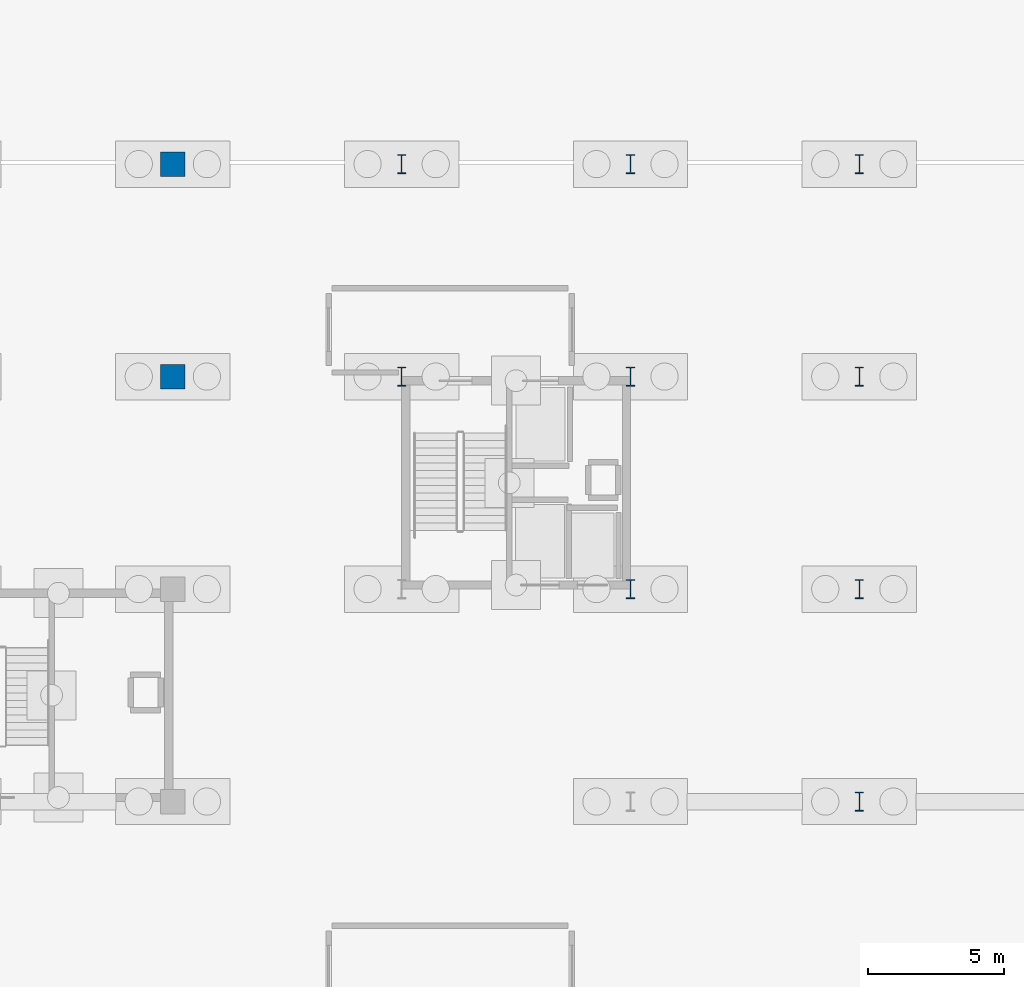
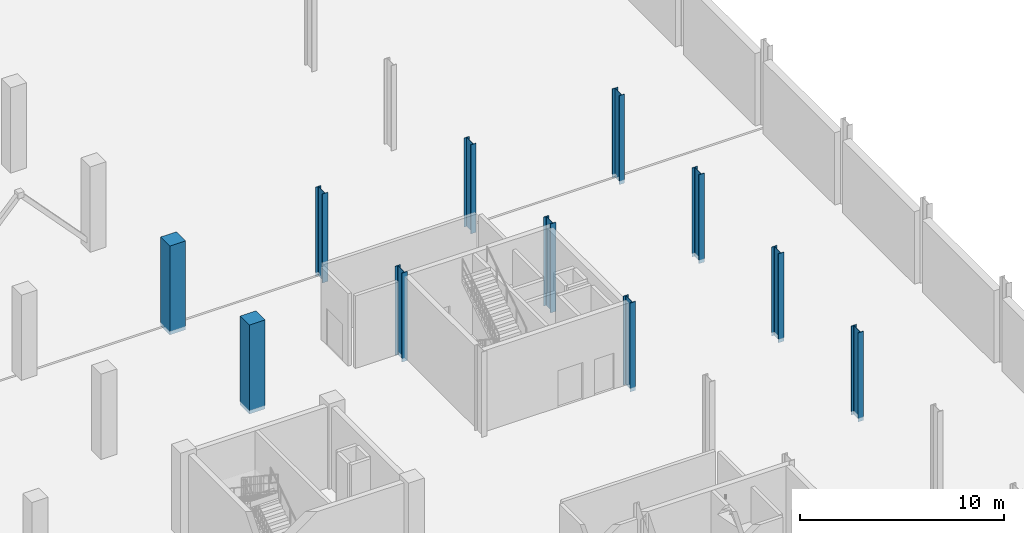
# One storey, part 19 of 48: 11 columns.
"""IFC4 building model written with IfcOpenShell, lengths in metres."""

import ifcopenshell
import ifcopenshell.guid

model = None  # the IFC model being written
_history = None  # IfcOwnerHistory: only IFC2X3 demands one
_inside = {}  # id of a spatial element -> (the spatial element, [elements in it])
_under = {}  # id of a project, library or spatial element -> (it, [spatial elements below it])
_declared = {}  # id of a project -> (the project, [libraries it declares])
_typed = {}  # id of a type object -> (the type object, [elements of that type])
_made_of = {}  # id of a material, layer set ... -> (it, [elements and type objects made of it])


def new_model(schema):
    """Start an empty IFC model of exactly this schema.

    Asked for "IFC4X3", IfcOpenShell would pick the latest addendum, in which some entities
    have other attributes; the version numbers below select the first issue.
    IFC2X3 requires an IfcOwnerHistory on every rooted entity: one is made here for all.
    """
    global model, _history
    if schema == "IFC4X3":
        model = ifcopenshell.file(schema_version=(4, 3, 0, 0))
    else:
        model = ifcopenshell.file(schema=schema)
    _inside.clear()
    _under.clear()
    _declared.clear()
    _typed.clear()
    _made_of.clear()
    _history = None
    if model.schema == "IFC2X3":
        org = make("IfcOrganization", Name="unknown")
        user = make(
            "IfcPersonAndOrganization",
            ThePerson=make("IfcPerson", FamilyName="unknown"),
            TheOrganization=org,
        )
        app = make(
            "IfcApplication",
            ApplicationDeveloper=org,
            Version="unknown",
            ApplicationFullName="unknown",
            ApplicationIdentifier="unknown",
        )
        _history = make(
            "IfcOwnerHistory",
            OwningUser=user,
            OwningApplication=app,
            ChangeAction="ADDED",
            CreationDate=0,
        )
    return model


def make(cls, **values):
    """One entity of the class cls with the attributes given. An attribute that is None is left unset."""
    return model.create_entity(
        cls, **{name: value for name, value in values.items() if value is not None}
    )


def rooted(cls, **values):
    """An entity with a GlobalId (a new one), such as an element, a storey or a relation."""
    return make(cls, GlobalId=ifcopenshell.guid.new(), OwnerHistory=_history, **values)


def si_unit(unit_type, name, prefix=None):
    """IfcSIUnit, for example si_unit("LENGTHUNIT", "METRE", prefix="MILLI")."""
    return make("IfcSIUnit", UnitType=unit_type, Prefix=prefix, Name=name)


def assignment(units):
    """IfcUnitAssignment: the units of a project."""
    return None if units is None else make("IfcUnitAssignment", Units=units)


def point(xyz):
    """IfcCartesianPoint."""
    return None if xyz is None else make("IfcCartesianPoint", Coordinates=xyz)


def direction(xyz):
    """IfcDirection."""
    return None if xyz is None else make("IfcDirection", DirectionRatios=xyz)


def frame(location, z_axis=None, x_axis=None):
    """IfcAxis2Placement3D, a coordinate frame: its origin and axes. An axis left out is left unset."""
    return make(
        "IfcAxis2Placement3D",
        Location=point(location),
        Axis=direction(z_axis),
        RefDirection=direction(x_axis),
    )


def frame_2d(location, x_axis=None):
    """IfcAxis2Placement2D, a coordinate frame in the plane: its origin and x axis."""
    return make(
        "IfcAxis2Placement2D", Location=point(location), RefDirection=direction(x_axis)
    )


def origin():
    """The frame at (0, 0, 0) with its axes left unset."""
    return frame((0.0, 0.0, 0.0))


def origin_2d():
    """The frame at (0, 0) in the plane with its x axis left unset."""
    return frame_2d((0.0, 0.0))


def place(relative_to, where):
    """IfcLocalPlacement: puts the frame where relative to a parent placement (None: the world)."""
    return make(
        "IfcLocalPlacement", PlacementRelTo=relative_to, RelativePlacement=where
    )


def context(
    kind, dimensions, precision=None, world=None, true_north=None, identifier=None
):
    """IfcGeometricRepresentationContext, for example the 3D "Model" context."""
    return make(
        "IfcGeometricRepresentationContext",
        ContextIdentifier=identifier,
        ContextType=kind,
        CoordinateSpaceDimension=dimensions,
        Precision=precision,
        WorldCoordinateSystem=world,
        TrueNorth=true_north,
    )


def subcontext(parent, identifier, kind, view, scale=None):
    """IfcGeometricRepresentationSubContext, for example "Body" below "Model"."""
    return make(
        "IfcGeometricRepresentationSubContext",
        ContextIdentifier=identifier,
        ContextType=kind,
        ParentContext=parent,
        TargetScale=scale,
        TargetView=view,
    )


def project(units=None, contexts=None):
    """IfcProject with its units and contexts."""
    return rooted(
        "IfcProject",
        Name="project",
        RepresentationContexts=contexts,
        UnitsInContext=assignment(units),
    )


def spatial(cls, under=None, at=None, **own):
    """A site, building, storey or space (cls), placed at a placement, below another one or the project."""
    s = rooted(cls, ObjectPlacement=at, **own)
    if under is not None:
        _under.setdefault(under.id(), (under, []))[1].append(s)
    return s


def profile(cls, at=None, kind="AREA", **sizes):
    """A parametric profile (cls). Its sizes go by their IFC names, for example OverallWidth=200.0."""
    return make(cls, ProfileType=kind, Position=at, **sizes)


def rectangle(**sizes):
    """IfcRectangleProfileDef."""
    return profile("IfcRectangleProfileDef", **sizes)


def i_section(**sizes):
    """IfcIShapeProfileDef."""
    return profile("IfcIShapeProfileDef", **sizes)


def extrude(swept, where, along, depth):
    """IfcExtrudedAreaSolid: the profile swept, set in the frame where, extruded along a direction by depth."""
    return make(
        "IfcExtrudedAreaSolid",
        SweptArea=swept,
        Position=where,
        ExtrudedDirection=direction(along),
        Depth=depth,
    )


def shape(context_of_items, identifier, shape_type, items):
    """IfcShapeRepresentation: the items that make up one representation, for example the "Body"."""
    return make(
        "IfcShapeRepresentation",
        ContextOfItems=context_of_items,
        RepresentationIdentifier=identifier,
        RepresentationType=shape_type,
        Items=items,
    )


def material(Name=None, Category=None):
    """IfcMaterial."""
    return make("IfcMaterial", Name=Name, Category=Category)


def material_profile(
    of_material, cross_section, Name=None, Category=None, Priority=None
):
    """IfcMaterialProfile: a cross section and its material."""
    return make(
        "IfcMaterialProfile",
        Name=Name,
        Material=of_material,
        Profile=cross_section,
        Priority=Priority,
        Category=Category,
    )


def profile_set(profiles, Name=None, composite=None):
    """IfcMaterialProfileSet."""
    return make(
        "IfcMaterialProfileSet",
        Name=Name,
        MaterialProfiles=profiles,
        CompositeProfile=composite,
    )


def made_of(thing, what):
    """Note that an element or type object is made of a material, layer set ...; save() writes the relation."""
    if what is not None:
        _made_of.setdefault(what.id(), (what, []))[1].append(thing)
    return thing


def type_object(cls, material=None, **own):
    """A type object (cls), such as IfcWallType, which elements share."""
    return made_of(rooted(cls, **own), material)


def element(
    cls,
    number,
    at=None,
    inside=None,
    cuts=None,
    type_object=None,
    material=None,
    context=None,
    identifier="Body",
    shape_type=None,
    held_by="IfcProductDefinitionShape",
    body=None,
    shapes=None,
    **own,
):
    """One element of the class cls, such as IfcWall. Its Tag is "e" and its number.

    at: its placement. inside: the storey or other place that contains it. cuts: it is an
    opening in that element (IfcRelVoidsElement). A single representation is given by context,
    identifier, shape_type and body (its items); several are given by shapes. held_by: the class
    of the entity that holds the representations. save() writes the other relations.
    """
    e = rooted(cls, Tag="e%d" % number, ObjectPlacement=at, **own)
    if body is not None:
        shapes = [shape(context, identifier, shape_type, body)]
    if shapes is not None:
        e.Representation = make(held_by, Representations=shapes)
    if inside is not None:
        _inside.setdefault(inside.id(), (inside, []))[1].append(e)
    if cuts is not None:
        rooted(
            "IfcRelVoidsElement", RelatingBuildingElement=cuts, RelatedOpeningElement=e
        )
    if type_object is not None:
        _typed.setdefault(type_object.id(), (type_object, []))[1].append(e)
    return made_of(e, material)


def aggregate(whole, parts):
    """IfcRelAggregates: a whole, such as a stair, and the parts it consists of."""
    return rooted("IfcRelAggregates", RelatingObject=whole, RelatedObjects=parts)


def save(model, path):
    """Write the relations noted so far, then the file.

    IfcRelAggregates (storeys below a building ...), IfcRelContainedInSpatialStructure (elements
    in a storey), IfcRelDefinesByType, IfcRelAssociatesMaterial and IfcRelDeclares: one each for
    every whole, place, type object, material and project.
    """
    for whole, parts in _under.values():
        aggregate(whole, parts)
    for where, things in _inside.values():
        rooted(
            "IfcRelContainedInSpatialStructure",
            RelatedElements=things,
            RelatingStructure=where,
        )
    for kind, things in _typed.values():
        rooted("IfcRelDefinesByType", RelatedObjects=things, RelatingType=kind)
    for what, things in _made_of.values():
        rooted("IfcRelAssociatesMaterial", RelatedObjects=things, RelatingMaterial=what)
    for by, libraries in _declared.values():
        rooted("IfcRelDeclares", RelatingContext=by, RelatedDefinitions=libraries)
    model.write(path)


model = new_model("IFC4")

# Units and contexts
model_context = context("Model", 3, precision=1e-05, world=origin(), true_north=direction((0.0, 1.0)))
body_context = subcontext(model_context, "Body", "Model", "MODEL_VIEW")
ifc_project = project(units=[si_unit("LENGTHUNIT", "METRE"), si_unit("AREAUNIT", "SQUARE_METRE"), si_unit("VOLUMEUNIT", "CUBIC_METRE"), si_unit("PLANEANGLEUNIT", "RADIAN"), si_unit("MASSUNIT", "GRAM", prefix="KILO")], contexts=[model_context])

# Site, building, storey
site_placement = place(None, origin())
site = spatial("IfcSite", under=ifc_project, at=site_placement, CompositionType="ELEMENT")
building_placement = place(site_placement, origin())
building = spatial("IfcBuilding", under=site, at=building_placement, Name="Nabrawat Pavilion Hospital", CompositionType="ELEMENT")
storey_placement = place(building_placement, frame((0.0, 0.0, -5.10009765625)))
storey = spatial("IfcBuildingStorey", under=building, at=storey_placement, Name="B1", CompositionType="ELEMENT", Elevation=-5.10009765625)

# Columns
ifc_material_1 = material(Name="Steel S355", Category="steel")
ifc_material_profile_1 = material_profile(ifc_material_1, i_section(OverallWidth=0.300048828125, OverallDepth=0.699951171875, WebThickness=0.01708984375, FlangeThickness=0.031982421875, FilletRadius=0.027099609375, at=origin_2d()), Name="HEB 700")
ifc_profile_set_1 = profile_set([ifc_material_profile_1], Name="Steel S355")
column_type_1 = type_object("IfcColumnType", Name="Base Transfer Steel Column HEB 700", PredefinedType="COLUMN", material=ifc_profile_set_1)
for number, where, z_axis, x_axis, name in (
    (1, (168.0, 78.0, -0.219970703125), (0.0, 0.0, 1.0), (1.0, 0.0, 0.0), "B1 Structural Column G-21-L"),
    (2, (168.0, 85.800048828125, -0.219970703125), (0.0, 0.0, 1.0), (1.0, 0.0, 0.0), "B1 Structural Column G-21-M1"),
    (3, (176.39990234375, 70.199951171875, -0.219970703125), (0.0, 0.0, 1.0), (1.0, 0.0, 0.0), "B1 Structural Column G-22-K"),
    (4, (176.39990234375, 78.0, -0.219970703125), (0.0, 0.0, 1.0), (1.0, 0.0, 0.0), "B1 Structural Column G-22-L"),
    (5, (176.39990234375, 85.800048828125, -0.219970703125), (0.0, 0.0, 1.0), (1.0, 0.0, 0.0), "B1 Structural Column G-22-M1"),
    (6, (184.800048828125, 62.39990234375, -0.219970703125), (0.0, 0.0, 1.0), (1.0, 0.0, 0.0), "B1 Structural Column G-23-J"),
    (7, (184.800048828125, 70.199951171875, -0.219970703125), (0.0, 0.0, 1.0), (1.0, 0.0, 0.0), "B1 Structural Column G-23-K"),
    (8, (184.800048828125, 78.0, -0.219970703125), (0.0, 0.0, 1.0), (1.0, 0.0, 0.0), "B1 Structural Column G-23-L"),
    (9, (184.800048828125, 85.800048828125, -0.219970703125), (0.0, 0.0, 1.0), (1.0, 0.0, 0.0), "B1 Structural Column G-23-M1"),
):
    element("IfcColumn", number, at=place(storey_placement, frame(where, z_axis=z_axis, x_axis=x_axis)), inside=storey, type_object=column_type_1, Name=name, PredefinedType="COLUMN", context=body_context, shape_type="SweptSolid", body=[
        extrude(i_section(OverallWidth=0.300048828125, OverallDepth=0.699951171875, WebThickness=0.01708984375, FlangeThickness=0.031982421875, FilletRadius=0.027099609375, at=origin_2d()), origin(), (0.0, 0.0, 1.0), 5.320068359375),
    ])
ifc_material_2 = material(Name="Concrete C40/50", Category="concrete")
ifc_material_profile_2 = material_profile(ifc_material_2, rectangle(XDim=0.89990234375, YDim=0.89990234375, at=origin_2d()), Name="RC 900x900")
ifc_profile_set_2 = profile_set([ifc_material_profile_2], Name="Concrete C40/50")
column_type_2 = type_object("IfcColumnType", Name="Lower Ward RC Column 900x900", PredefinedType="COLUMN", material=ifc_profile_set_2)
for number, where, z_axis, x_axis, name in (
    (10, (159.60009765625, 78.0, -0.219970703125), (0.0, 0.0, 1.0), (1.0, 0.0, 0.0), "B1 Structural Column G-20-L"),
    (11, (159.60009765625, 85.800048828125, -0.219970703125), (0.0, 0.0, 1.0), (1.0, 0.0, 0.0), "B1 Structural Column G-20-M1"),
):
    element("IfcColumn", number, at=place(storey_placement, frame(where, z_axis=z_axis, x_axis=x_axis)), inside=storey, type_object=column_type_2, Name=name, PredefinedType="COLUMN", context=body_context, shape_type="SweptSolid", body=[
        extrude(rectangle(XDim=0.89990234375, YDim=0.89990234375, at=origin_2d()), origin(), (0.0, 0.0, 1.0), 5.320068359375),
    ])

save(model, "model.ifc")
